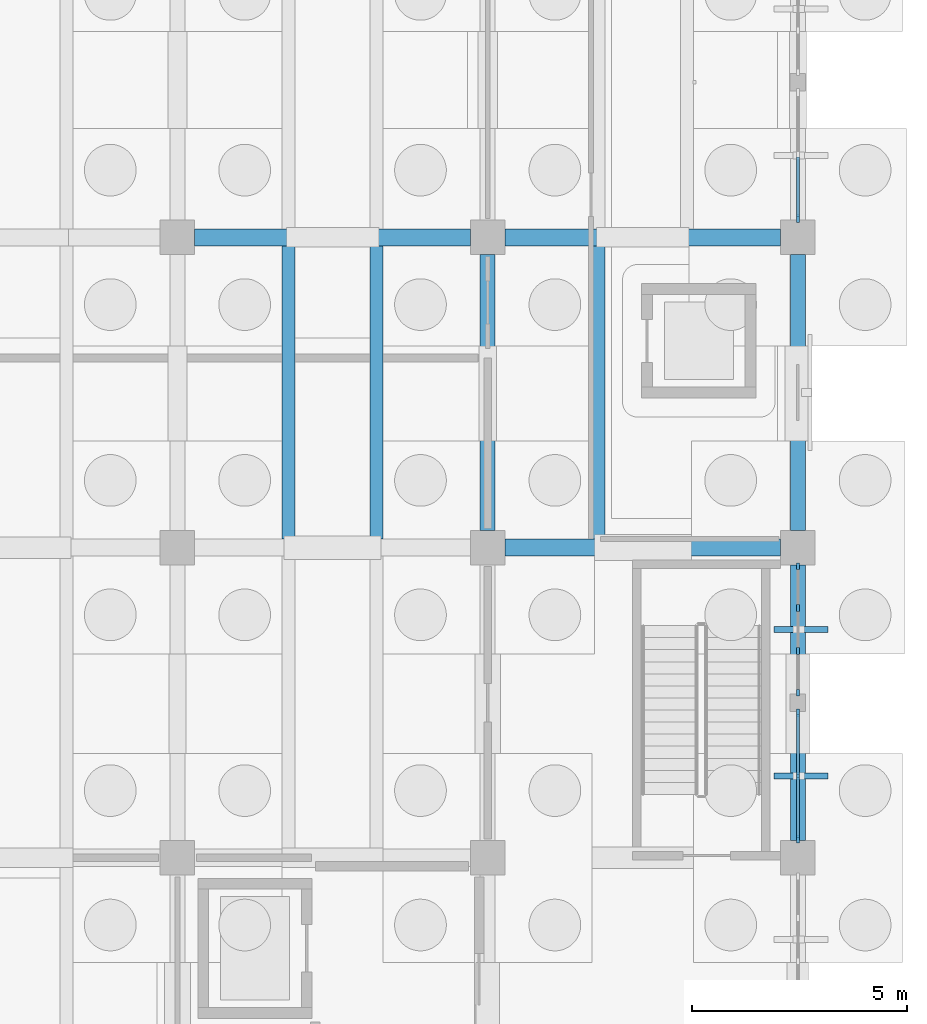
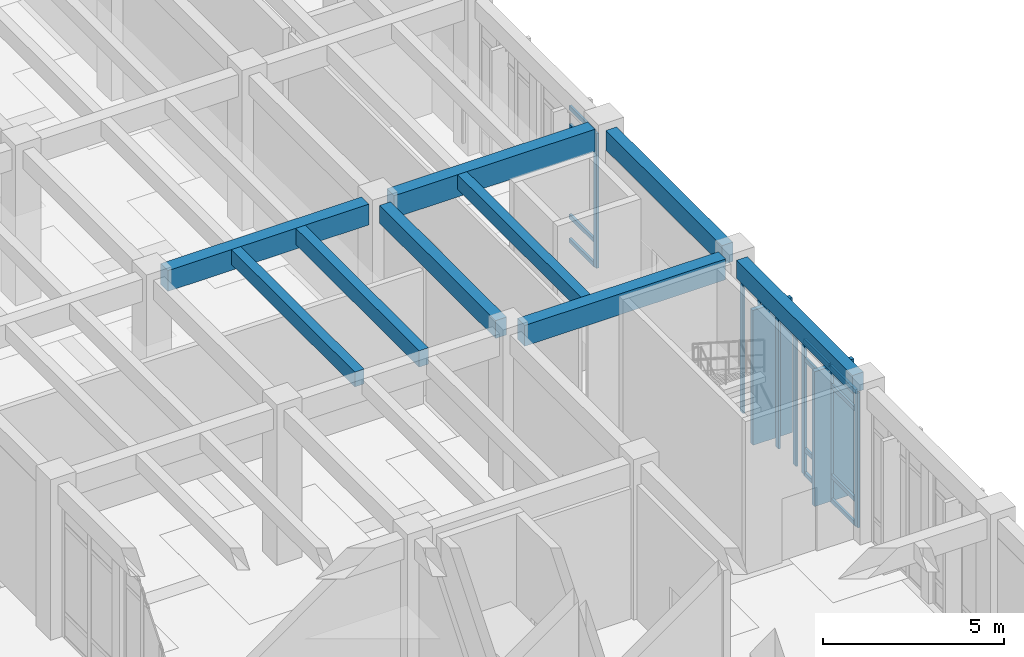
# One storey, part 37 of 93: 22 members, 9 beams, 3 elements without a shape of their own.
"""IFC4 building model written with IfcOpenShell, lengths in metres."""

from ifc_helpers import new_model, si_unit, direction, frame, origin, origin_2d, place, context, subcontext, project, spatial, rectangle, extrude, material, layer, layer_set, material_profile, profile_set, type_object, element, aggregate, save


model = new_model("IFC4")

# Units and contexts
model_context = context("Model", 3, precision=1e-05, world=origin(), true_north=direction((0.0, 1.0)))
body_context = subcontext(model_context, "Body", "Model", "MODEL_VIEW")
ifc_project = project(units=[si_unit("LENGTHUNIT", "METRE"), si_unit("AREAUNIT", "SQUARE_METRE"), si_unit("VOLUMEUNIT", "CUBIC_METRE"), si_unit("PLANEANGLEUNIT", "RADIAN"), si_unit("MASSUNIT", "GRAM", prefix="KILO")], contexts=[model_context])

# Site, building, storey
site_placement = place(None, origin())
site = spatial("IfcSite", under=ifc_project, at=site_placement, CompositionType="ELEMENT")
building_placement = place(site_placement, origin())
building = spatial("IfcBuilding", under=site, at=building_placement, Name="Koriwan Promenade Central Fire Station", CompositionType="ELEMENT")
storey_placement = place(building_placement, origin())
storey = spatial("IfcBuildingStorey", under=building, at=storey_placement, Name="L00", CompositionType="ELEMENT", Elevation=0.0)

# Beams
ifc_material_1 = material(Name="Concrete C35/45", Category="concrete")
ifc_material_profile_1 = material_profile(ifc_material_1, rectangle(XDim=0.300048828125, YDim=0.5, at=origin_2d()), Name="RC-BM-300x500")
ifc_profile_set_1 = profile_set([ifc_material_profile_1], Name="Concrete C35/45")
beam_type_1 = type_object("IfcBeamType", Name="Beam_RC-BM-300x500", PredefinedType="JOIST", material=ifc_profile_set_1)
for number, where, z_axis, x_axis, name in (
    (1, (160.97607421875, 21.800048828125, 4.89990234375), (0.0, 1.0, 0.0), (-1.0, 0.0, 0.0), "V5 L00 secondary joist 579"),
    (2, (168.176025390625, 21.800048828125, 4.89990234375), (0.0, 1.0, 0.0), (-1.0, 0.0, 0.0), "V5 L00 secondary joist 581"),
):
    element("IfcBeam", number, at=place(storey_placement, frame(where, z_axis=z_axis, x_axis=x_axis)), inside=storey, type_object=beam_type_1, Name=name, PredefinedType="JOIST", context=body_context, shape_type="SweptSolid", body=[
        extrude(rectangle(XDim=0.300048828125, YDim=0.5, at=origin_2d()), origin(), (0.0, 0.0, 1.0), 6.800048828125),
    ])
ifc_material_profile_2 = material_profile(ifc_material_1, rectangle(XDim=0.300048828125, YDim=0.550048828125, at=origin_2d()), Name="RC-BM-300x550")
ifc_profile_set_2 = profile_set([ifc_material_profile_2], Name="Concrete C35/45")
beam_type_2 = type_object("IfcBeamType", Name="Beam_RC-BM-300x550", PredefinedType="JOIST", material=ifc_profile_set_2)
beam_1_placement = place(storey_placement, frame((163.02392578125, 21.800048828125, 4.875), z_axis=(0.0, 1.0, 0.0), x_axis=(-1.0, 0.0, 0.0)))
element("IfcBeam", 3, at=beam_1_placement, inside=storey, type_object=beam_type_2, Name="V5 L00 secondary joist 580", PredefinedType="JOIST", context=body_context, shape_type="SweptSolid", body=[
    extrude(rectangle(XDim=0.300048828125, YDim=0.550048828125, at=origin_2d()), origin(), (0.0, 0.0, 1.0), 6.800048828125),
])
ifc_material_profile_3 = material_profile(ifc_material_1, rectangle(XDim=0.35009765625, YDim=0.60009765625, at=origin_2d()), Name="RC-BM-350x600")
ifc_profile_set_3 = profile_set([ifc_material_profile_3], Name="Concrete C35/45")
beam_type_3 = type_object("IfcBeamType", Name="Beam_RC-BM-350x600", PredefinedType="BEAM", material=ifc_profile_set_3)
for number, where, z_axis, x_axis, name in (
    (4, (165.60009765625, 22.0, 4.85009765625), (0.0, 1.0, 0.0), (-1.0, 0.0, 0.0), "V5 L00 girder Y-544"),
    (5, (172.800048828125, 14.800048828125, 4.85009765625), (0.0, 1.0, 0.0), (-1.0, 0.0, 0.0), "V5 L00 girder Y-554"),
):
    element("IfcBeam", number, at=place(storey_placement, frame(where, z_axis=z_axis, x_axis=x_axis)), inside=storey, type_object=beam_type_3, Name=name, PredefinedType="BEAM", context=body_context, shape_type="SweptSolid", body=[
        extrude(rectangle(XDim=0.35009765625, YDim=0.60009765625, at=origin_2d()), origin(), (0.0, 0.0, 1.0), 6.39990234375),
    ])
ifc_material_profile_4 = material_profile(ifc_material_1, rectangle(XDim=0.35009765625, YDim=0.64990234375, at=origin_2d()), Name="RC-BM-350x650")
ifc_profile_set_4 = profile_set([ifc_material_profile_4], Name="Concrete C35/45")
beam_type_4 = type_object("IfcBeamType", Name="Beam_RC-BM-350x650", PredefinedType="BEAM", material=ifc_profile_set_4)
beam_2_placement = place(storey_placement, frame((172.800048828125, 22.0, 4.824951171875), z_axis=(0.0, 1.0, 0.0), x_axis=(-1.0, 0.0, 0.0)))
element("IfcBeam", 6, at=beam_2_placement, inside=storey, type_object=beam_type_4, Name="V5 L00 girder Y-555", PredefinedType="BEAM", context=body_context, shape_type="SweptSolid", body=[
    extrude(rectangle(XDim=0.35009765625, YDim=0.64990234375, at=origin_2d()), origin(), (0.0, 0.0, 1.0), 6.39990234375),
])
ifc_material_profile_5 = material_profile(ifc_material_1, rectangle(XDim=0.39990234375, YDim=0.699951171875, at=origin_2d()), Name="RC-BM-400x700")
ifc_profile_set_5 = profile_set([ifc_material_profile_5], Name="Concrete C35/45")
beam_type_5 = type_object("IfcBeamType", Name="Beam_RC-BM-400x700", PredefinedType="BEAM", material=ifc_profile_set_5)
for number, where, z_axis, x_axis, name in (
    (7, (166.0, 21.60009765625, 4.800048828125), (1.0, 0.0, 0.0), (0.0, 1.0, 0.0), "V5 L00 girder X-492"),
    (8, (158.800048828125, 28.800048828125, 4.800048828125), (1.0, 0.0, 0.0), (0.0, 1.0, 0.0), "V5 L00 girder X-494"),
):
    element("IfcBeam", number, at=place(storey_placement, frame(where, z_axis=z_axis, x_axis=x_axis)), inside=storey, type_object=beam_type_5, Name=name, PredefinedType="BEAM", context=body_context, shape_type="SweptSolid", body=[
        extrude(rectangle(XDim=0.39990234375, YDim=0.699951171875, at=origin_2d()), origin(), (0.0, 0.0, 1.0), 6.39990234375),
    ])
ifc_material_profile_6 = material_profile(ifc_material_1, rectangle(XDim=0.39990234375, YDim=0.75, at=origin_2d()), Name="RC-BM-400x750")
ifc_profile_set_6 = profile_set([ifc_material_profile_6], Name="Concrete C35/45")
beam_type_6 = type_object("IfcBeamType", Name="Beam_RC-BM-400x750", PredefinedType="BEAM", material=ifc_profile_set_6)
beam_3_placement = place(storey_placement, frame((166.0, 28.800048828125, 4.77490234375), z_axis=(1.0, 0.0, 0.0), x_axis=(0.0, 1.0, 0.0)))
element("IfcBeam", 9, at=beam_3_placement, inside=storey, type_object=beam_type_6, Name="V5 L00 girder X-495", PredefinedType="BEAM", context=body_context, shape_type="SweptSolid", body=[
    extrude(rectangle(XDim=0.39990234375, YDim=0.75, at=origin_2d()), origin(), (0.0, 0.0, 1.0), 6.39990234375),
])

# Curtain wall, members
ifc_material_2 = material(Name="Aluminium EN AW-6063-T6 and low-E glazing", Category="aluminium")
ifc_layer_1 = layer(ifc_material_2, 0.159912109375, Name="Aluminium EN AW-6063-T6 and low-E glazing")
ifc_layer_set_1 = layer_set([ifc_layer_1], Name="Aluminium EN AW-6063-T6 and low-E glazing")
curtain_wall_type_1 = type_object("IfcCurtainWallType", Name="CurtainWall_59_300x454", PredefinedType="USERDEFINED", material=ifc_layer_set_1)
curtain_wall_1_placement = place(storey_placement, origin())
curtain_wall_1 = element("IfcCurtainWall", 10, at=curtain_wall_1_placement, inside=storey, type_object=curtain_wall_type_1, Name="V5 L00 unitised curtain wall 157", ObjectType="UNITISED CURTAIN WALL", PredefinedType="USERDEFINED")
ifc_material_3 = material(Name="Aluminium EN AW-6063-T6", Category="aluminium")
ifc_material_profile_7 = material_profile(ifc_material_3, rectangle(XDim=0.06494140625, YDim=0.159912109375, at=origin_2d()), Name="ALU-MUL-65x160")
ifc_profile_set_7 = profile_set([ifc_material_profile_7], Name="Aluminium EN AW-6063-T6")
member_type_1 = type_object("IfcMemberType", Name="CWMullion_ALU-MUL-65x160", PredefinedType="MULLION", material=ifc_profile_set_7)
member_1_placement = place(storey_placement, frame((172.800048828125, 21.16748046875, 0.0), z_axis=(0.0, 0.0, 1.0), x_axis=(1.0, 0.0, 0.0)))
member_1 = element("IfcMember", 11, at=member_1_placement, type_object=member_type_1, Name="CW-59 mullion 1", PredefinedType="MULLION", context=body_context, shape_type="SweptSolid", body=[
    extrude(rectangle(XDim=0.06494140625, YDim=0.159912109375, at=origin_2d()), origin(), (0.0, 0.0, 1.0), 4.5400390625),
])
member_2_placement = place(storey_placement, frame((172.800048828125, 20.199951171875, 0.0), z_axis=(0.0, 0.0, 1.0), x_axis=(1.0, 0.0, 0.0)))
member_2 = element("IfcMember", 12, at=member_2_placement, type_object=member_type_1, Name="CW-59 mullion 2", PredefinedType="MULLION", context=body_context, shape_type="SweptSolid", body=[
    extrude(rectangle(XDim=0.06494140625, YDim=0.159912109375, at=origin_2d()), origin(), (0.0, 0.0, 1.0), 4.5400390625),
])
member_3_placement = place(storey_placement, frame((172.800048828125, 19.199951171875, 0.0), z_axis=(0.0, 0.0, 1.0), x_axis=(1.0, 0.0, 0.0)))
member_3 = element("IfcMember", 13, at=member_3_placement, type_object=member_type_1, Name="CW-59 mullion 3", PredefinedType="MULLION", context=body_context, shape_type="SweptSolid", body=[
    extrude(rectangle(XDim=0.06494140625, YDim=0.159912109375, at=origin_2d()), origin(), (0.0, 0.0, 1.0), 4.5400390625),
])
member_4_placement = place(storey_placement, frame((172.800048828125, 18.232421875, 0.0), z_axis=(0.0, 0.0, 1.0), x_axis=(1.0, 0.0, 0.0)))
member_4 = element("IfcMember", 14, at=member_4_placement, type_object=member_type_1, Name="CW-59 mullion 4", PredefinedType="MULLION", context=body_context, shape_type="SweptSolid", body=[
    extrude(rectangle(XDim=0.06494140625, YDim=0.159912109375, at=origin_2d()), origin(), (0.0, 0.0, 1.0), 4.5400390625),
])
aggregate(curtain_wall_1, [member_1, member_2, member_3, member_4])

# Curtain wall, member
ifc_layer_2 = layer(ifc_material_2, 0.159912109375, Name="Aluminium EN AW-6063-T6 and low-E glazing")
ifc_layer_set_2 = layer_set([ifc_layer_2], Name="Aluminium EN AW-6063-T6 and low-E glazing")
curtain_wall_type_2 = type_object("IfcCurtainWallType", Name="CurtainWall_60_300x454", PredefinedType="USERDEFINED", material=ifc_layer_set_2)
curtain_wall_2_placement = place(storey_placement, origin())
curtain_wall_2 = element("IfcCurtainWall", 15, at=curtain_wall_2_placement, inside=storey, type_object=curtain_wall_type_2, Name="V5 L00 unitised curtain wall 156", ObjectType="UNITISED CURTAIN WALL", PredefinedType="USERDEFINED")
ifc_material_profile_8 = material_profile(ifc_material_3, rectangle(XDim=0.074951171875, YDim=0.179931640625, at=origin_2d()), Name="ALU-MUL-75x180")
ifc_profile_set_8 = profile_set([ifc_material_profile_8], Name="Aluminium EN AW-6063-T6")
member_type_2 = type_object("IfcMemberType", Name="CWMullion_ALU-MUL-75x180", PredefinedType="MULLION", material=ifc_profile_set_8)
member_5_placement = place(storey_placement, frame((172.800048828125, 29.237548828125, 0.0), z_axis=(0.0, 0.0, 1.0), x_axis=(1.0, 0.0, 0.0)))
member_5 = element("IfcMember", 16, at=member_5_placement, type_object=member_type_2, Name="CW-60 mullion 3", PredefinedType="MULLION", context=body_context, shape_type="SweptSolid", body=[
    extrude(rectangle(XDim=0.074951171875, YDim=0.179931640625, at=origin_2d()), origin(), (0.0, 0.0, 1.0), 4.5400390625),
])

# Curtain wall, members
curtain_wall_3_placement = place(storey_placement, origin())
curtain_wall_3 = element("IfcCurtainWall", 17, at=curtain_wall_3_placement, inside=storey, type_object=curtain_wall_type_2, Name="V5 L00 unitised curtain wall 158", ObjectType="UNITISED CURTAIN WALL", PredefinedType="USERDEFINED")
member_6_placement = place(storey_placement, frame((172.800048828125, 17.762451171875, 0.0), z_axis=(0.0, 0.0, 1.0), x_axis=(1.0, 0.0, 0.0)))
member_6 = element("IfcMember", 18, at=member_6_placement, type_object=member_type_2, Name="CW-60 mullion 1", PredefinedType="MULLION", context=body_context, shape_type="SweptSolid", body=[
    extrude(rectangle(XDim=0.074951171875, YDim=0.179931640625, at=origin_2d()), origin(), (0.0, 0.0, 1.0), 4.5400390625),
])
member_7_placement = place(storey_placement, frame((172.800048828125, 16.300048828125, 0.0), z_axis=(0.0, 0.0, 1.0), x_axis=(1.0, 0.0, 0.0)))
member_7 = element("IfcMember", 19, at=member_7_placement, type_object=member_type_2, Name="CW-60 mullion 2", PredefinedType="MULLION", context=body_context, shape_type="SweptSolid", body=[
    extrude(rectangle(XDim=0.074951171875, YDim=0.179931640625, at=origin_2d()), origin(), (0.0, 0.0, 1.0), 4.5400390625),
])
member_8_placement = place(storey_placement, frame((172.800048828125, 14.83740234375, 0.0), z_axis=(0.0, 0.0, 1.0), x_axis=(1.0, 0.0, 0.0)))
member_8 = element("IfcMember", 20, at=member_8_placement, type_object=member_type_2, Name="CW-60 mullion 3", PredefinedType="MULLION", context=body_context, shape_type="SweptSolid", body=[
    extrude(rectangle(XDim=0.074951171875, YDim=0.179931640625, at=origin_2d()), origin(), (0.0, 0.0, 1.0), 4.5400390625),
])

# Member
ifc_material_profile_9 = material_profile(ifc_material_3, rectangle(XDim=0.074951171875, YDim=0.139892578125, at=origin_2d()), Name="ALU-TRN-75x140")
ifc_profile_set_9 = profile_set([ifc_material_profile_9], Name="Aluminium EN AW-6063-T6")
member_type_3 = type_object("IfcMemberType", Name="CWTransom_ALU-TRN-75x140", PredefinedType="USERDEFINED", material=ifc_profile_set_9)
member_9_placement = place(storey_placement, frame((172.800048828125, 30.66259765625, 0.03759765625), z_axis=(0.0, -1.0, 0.0), x_axis=(1.0, 0.0, 0.0)))
member_9 = element("IfcMember", 21, at=member_9_placement, type_object=member_type_3, Name="CW-60 transom 2.1", ObjectType="TRANSOM", PredefinedType="USERDEFINED", context=body_context, shape_type="SweptSolid", body=[
    extrude(rectangle(XDim=0.074951171875, YDim=0.139892578125, at=origin_2d()), origin(), (0.0, 0.0, 1.0), 1.3876953125),
])

member_10_placement = place(storey_placement, frame((172.800048828125, 30.66259765625, 0.85009765625), z_axis=(0.0, -1.0, 0.0), x_axis=(1.0, 0.0, 0.0)))
member_10 = element("IfcMember", 22, at=member_10_placement, type_object=member_type_3, Name="CW-60 transom 2.2", ObjectType="TRANSOM", PredefinedType="USERDEFINED", context=body_context, shape_type="SweptSolid", body=[
    extrude(rectangle(XDim=0.074951171875, YDim=0.139892578125, at=origin_2d()), origin(), (0.0, 0.0, 1.0), 1.3876953125),
])

member_11_placement = place(storey_placement, frame((172.800048828125, 30.66259765625, 3.889892578125), z_axis=(0.0, -1.0, 0.0), x_axis=(1.0, 0.0, 0.0)))
member_11 = element("IfcMember", 23, at=member_11_placement, type_object=member_type_3, Name="CW-60 transom 2.3", ObjectType="TRANSOM", PredefinedType="USERDEFINED", context=body_context, shape_type="SweptSolid", body=[
    extrude(rectangle(XDim=0.074951171875, YDim=0.139892578125, at=origin_2d()), origin(), (0.0, 0.0, 1.0), 1.3876953125),
])

member_12_placement = place(storey_placement, frame((172.800048828125, 30.66259765625, 4.50244140625), z_axis=(0.0, -1.0, 0.0), x_axis=(1.0, 0.0, 0.0)))
member_12 = element("IfcMember", 24, at=member_12_placement, type_object=member_type_3, Name="CW-60 transom 2.4", ObjectType="TRANSOM", PredefinedType="USERDEFINED", context=body_context, shape_type="SweptSolid", body=[
    extrude(rectangle(XDim=0.074951171875, YDim=0.139892578125, at=origin_2d()), origin(), (0.0, 0.0, 1.0), 1.3876953125),
])

aggregate(curtain_wall_2, [member_5, member_9, member_10, member_11, member_12])

member_13_placement = place(storey_placement, frame((172.800048828125, 17.72509765625, 0.03759765625), z_axis=(0.0, -1.0, 0.0), x_axis=(1.0, 0.0, 0.0)))
member_13 = element("IfcMember", 25, at=member_13_placement, type_object=member_type_3, Name="CW-60 transom 1.1", ObjectType="TRANSOM", PredefinedType="USERDEFINED", context=body_context, shape_type="SweptSolid", body=[
    extrude(rectangle(XDim=0.074951171875, YDim=0.139892578125, at=origin_2d()), origin(), (0.0, 0.0, 1.0), 1.3876953125),
])

member_14_placement = place(storey_placement, frame((172.800048828125, 17.72509765625, 0.85009765625), z_axis=(0.0, -1.0, 0.0), x_axis=(1.0, 0.0, 0.0)))
member_14 = element("IfcMember", 26, at=member_14_placement, type_object=member_type_3, Name="CW-60 transom 1.2", ObjectType="TRANSOM", PredefinedType="USERDEFINED", context=body_context, shape_type="SweptSolid", body=[
    extrude(rectangle(XDim=0.074951171875, YDim=0.139892578125, at=origin_2d()), origin(), (0.0, 0.0, 1.0), 1.3876953125),
])

member_15_placement = place(storey_placement, frame((172.800048828125, 17.72509765625, 3.889892578125), z_axis=(0.0, -1.0, 0.0), x_axis=(1.0, 0.0, 0.0)))
member_15 = element("IfcMember", 27, at=member_15_placement, type_object=member_type_3, Name="CW-60 transom 1.3", ObjectType="TRANSOM", PredefinedType="USERDEFINED", context=body_context, shape_type="SweptSolid", body=[
    extrude(rectangle(XDim=0.074951171875, YDim=0.139892578125, at=origin_2d()), origin(), (0.0, 0.0, 1.0), 1.3876953125),
])

member_16_placement = place(storey_placement, frame((172.800048828125, 17.72509765625, 4.50244140625), z_axis=(0.0, -1.0, 0.0), x_axis=(1.0, 0.0, 0.0)))
member_16 = element("IfcMember", 28, at=member_16_placement, type_object=member_type_3, Name="CW-60 transom 1.4", ObjectType="TRANSOM", PredefinedType="USERDEFINED", context=body_context, shape_type="SweptSolid", body=[
    extrude(rectangle(XDim=0.074951171875, YDim=0.139892578125, at=origin_2d()), origin(), (0.0, 0.0, 1.0), 1.3876953125),
])

member_17_placement = place(storey_placement, frame((172.800048828125, 16.262451171875, 0.03759765625), z_axis=(0.0, -1.0, 0.0), x_axis=(1.0, 0.0, 0.0)))
member_17 = element("IfcMember", 29, at=member_17_placement, type_object=member_type_3, Name="CW-60 transom 2.1", ObjectType="TRANSOM", PredefinedType="USERDEFINED", context=body_context, shape_type="SweptSolid", body=[
    extrude(rectangle(XDim=0.074951171875, YDim=0.139892578125, at=origin_2d()), origin(), (0.0, 0.0, 1.0), 1.387451171875),
])

member_18_placement = place(storey_placement, frame((172.800048828125, 16.262451171875, 0.85009765625), z_axis=(0.0, -1.0, 0.0), x_axis=(1.0, 0.0, 0.0)))
member_18 = element("IfcMember", 30, at=member_18_placement, type_object=member_type_3, Name="CW-60 transom 2.2", ObjectType="TRANSOM", PredefinedType="USERDEFINED", context=body_context, shape_type="SweptSolid", body=[
    extrude(rectangle(XDim=0.074951171875, YDim=0.139892578125, at=origin_2d()), origin(), (0.0, 0.0, 1.0), 1.387451171875),
])

member_19_placement = place(storey_placement, frame((172.800048828125, 16.262451171875, 3.889892578125), z_axis=(0.0, -1.0, 0.0), x_axis=(1.0, 0.0, 0.0)))
member_19 = element("IfcMember", 31, at=member_19_placement, type_object=member_type_3, Name="CW-60 transom 2.3", ObjectType="TRANSOM", PredefinedType="USERDEFINED", context=body_context, shape_type="SweptSolid", body=[
    extrude(rectangle(XDim=0.074951171875, YDim=0.139892578125, at=origin_2d()), origin(), (0.0, 0.0, 1.0), 1.387451171875),
])

member_20_placement = place(storey_placement, frame((172.800048828125, 16.262451171875, 4.50244140625), z_axis=(0.0, -1.0, 0.0), x_axis=(1.0, 0.0, 0.0)))
member_20 = element("IfcMember", 32, at=member_20_placement, type_object=member_type_3, Name="CW-60 transom 2.4", ObjectType="TRANSOM", PredefinedType="USERDEFINED", context=body_context, shape_type="SweptSolid", body=[
    extrude(rectangle(XDim=0.074951171875, YDim=0.139892578125, at=origin_2d()), origin(), (0.0, 0.0, 1.0), 1.387451171875),
])

aggregate(curtain_wall_3, [member_6, member_7, member_8, member_13, member_14, member_15, member_16, member_17, member_18, member_19, member_20])

# Members
ifc_material_4 = material(Name="Aluminium EN AW-6063-T6 terracotta finish", Category="masonry")
ifc_material_profile_10 = material_profile(ifc_material_4, rectangle(XDim=0.139892578125, YDim=1.25, at=origin_2d()), Name="FIN-TRC-140x1250")
ifc_profile_set_10 = profile_set([ifc_material_profile_10], Name="Aluminium EN AW-6063-T6 terracotta finish")
member_type_4 = type_object("IfcMemberType", Name="SolarFin_FIN-TRC-140x1250", PredefinedType="USERDEFINED", material=ifc_profile_set_10)
for number, where, z_axis, x_axis, name in (
    (33, (172.875, 19.699951171875, 0.0), (0.0, 0.0, 1.0), (0.0, -1.0, 0.0), "V5 L00 terracotta solar fin 025"),
    (34, (172.875, 16.300048828125, 0.0), (0.0, 0.0, 1.0), (0.0, -1.0, 0.0), "V5 L00 terracotta solar fin 026"),
):
    element("IfcMember", number, at=place(storey_placement, frame(where, z_axis=z_axis, x_axis=x_axis)), inside=storey, type_object=member_type_4, Name=name, ObjectType="SOLAR FIN", PredefinedType="USERDEFINED", context=body_context, shape_type="SweptSolid", body=[
        extrude(rectangle(XDim=0.139892578125, YDim=1.25, at=origin_2d()), origin(), (0.0, 0.0, 1.0), 4.5400390625),
    ])

save(model, "model.ifc")
